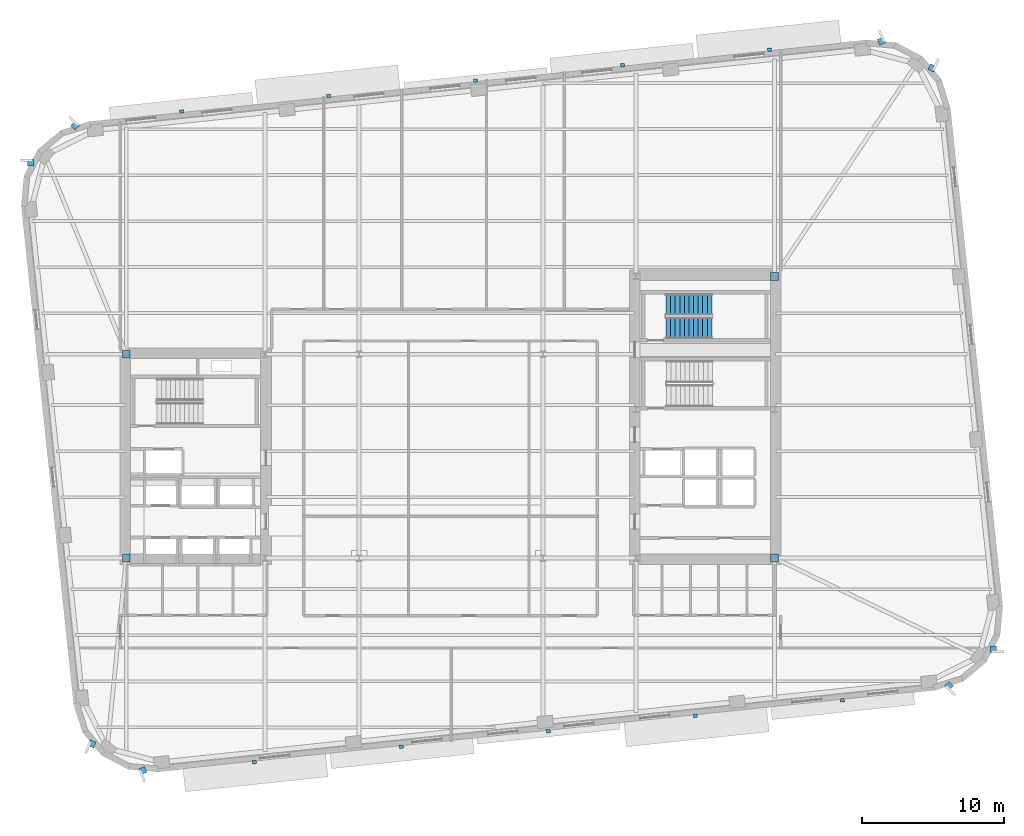
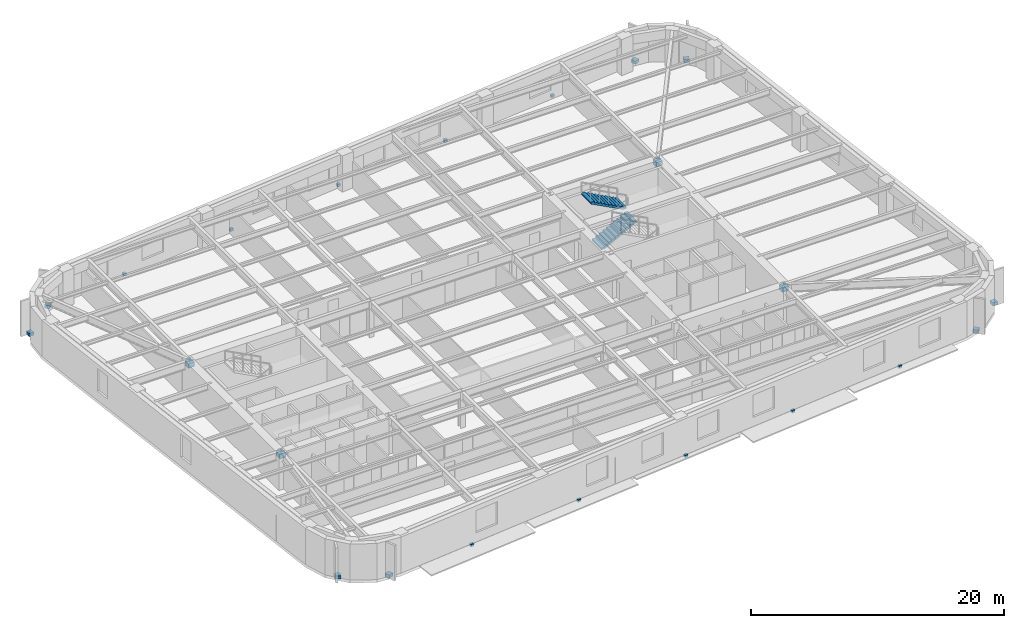
# One storey, part 8 of 15: 22 discrete accessories, 2 stair flights, 1 element without a shape of its own.
"""IFC4 building model written with IfcOpenShell, lengths in metres."""

from ifc_helpers import new_model, si_unit, direction, frame, origin, origin_2d, place, context, subcontext, project, spatial, polyline, rectangle, outline, extrude, material, type_object, element, aggregate, save


model = new_model("IFC4")

# Units and contexts
model_context = context("Model", 3, precision=1e-05, world=origin(), true_north=direction((0.0, 1.0)))
body_context = subcontext(model_context, "Body", "Model", "MODEL_VIEW")
ifc_project = project(units=[si_unit("LENGTHUNIT", "METRE"), si_unit("AREAUNIT", "SQUARE_METRE"), si_unit("VOLUMEUNIT", "CUBIC_METRE"), si_unit("PLANEANGLEUNIT", "RADIAN"), si_unit("MASSUNIT", "GRAM", prefix="KILO")], contexts=[model_context])

# Site, building, storey
site_placement = place(None, origin())
site = spatial("IfcSite", under=ifc_project, at=site_placement, CompositionType="ELEMENT")
building_placement = place(site_placement, origin())
building = spatial("IfcBuilding", under=site, at=building_placement, Name="Kolvaren Arena Tower", CompositionType="ELEMENT")
storey_placement = place(building_placement, frame((0.0, 0.0, 142.0)))
storey = spatial("IfcBuildingStorey", under=building, at=storey_placement, Name="L33", CompositionType="ELEMENT", Elevation=142.0)

# Stair, stair flights
ifc_material_1 = material(Name="Concrete 45 MPa", Category="concrete")
stair_type = type_object("IfcStairType", Name="STAIR-CORE-150", PredefinedType="HALF_TURN_STAIR", material=ifc_material_1)
stair_placement = place(storey_placement, origin())
stair = element("IfcStair", 1, at=stair_placement, inside=storey, type_object=stair_type, Name="L33 ST-E2", PredefinedType="HALF_TURN_STAIR")
stair_flight_type = type_object("IfcStairFlightType", Name="FLT-150", PredefinedType="STRAIGHT", material=ifc_material_1)
stair_flight_1_placement = place(storey_placement, frame((52.679931640625, 35.699951171875, 0.0), z_axis=(0.0, 0.0, 1.0), x_axis=(1.0, 0.0, 0.0)))
stair_flight_1 = element("IfcStairFlight", 2, at=stair_flight_1_placement, type_object=stair_flight_type, Name="ST-E2 flight 1", NumberOfRisers=11, NumberOfTreads=10, PredefinedType="STRAIGHT", RiserHeight=0.170454545, TreadLength=0.324, context=body_context, shape_type="SweptSolid", body=[
    extrude(outline(polyline([(0.0, 0.0), (0.0, 0.17041015625), (0.323974609375, 0.17041015625), (0.323974609375, 0.3408203125), (0.64794921875, 0.3408203125), (0.64794921875, 0.511474609375), (0.971923828125, 0.511474609375), (0.971923828125, 0.681884765625), (1.2958984375, 0.681884765625), (1.2958984375, 0.852294921875), (1.6201171875, 0.852294921875), (1.6201171875, 1.022705078125), (1.944091796875, 1.022705078125), (1.944091796875, 1.193115234375), (2.26806640625, 1.193115234375), (2.26806640625, 1.363525390625), (2.592041015625, 1.363525390625), (2.592041015625, 1.5341796875), (2.916015625, 1.5341796875), (2.916015625, 1.70458984375), (3.239990234375, 1.70458984375), (3.239990234375, 1.875), (3.239990234375, 1.53515625), (0.322021484375, 0.0), (0.0, 0.0)])), frame((0.0, 0.75, 0.0), z_axis=(0.0, -1.0, 0.0), x_axis=(1.0, 0.0, 0.0)), (0.0, 0.0, 1.0), 1.5),
])
stair_flight_2_placement = place(storey_placement, frame((55.919921875, 37.35009765625, 1.875), z_axis=(0.0, 0.0, 1.0), x_axis=(-1.0, 0.0, 0.0)))
stair_flight_2 = element("IfcStairFlight", 3, at=stair_flight_2_placement, type_object=stair_flight_type, Name="ST-E2 flight 2", NumberOfRisers=11, NumberOfTreads=10, PredefinedType="STRAIGHT", RiserHeight=0.170454545, TreadLength=0.324, context=body_context, shape_type="SweptSolid", body=[
    extrude(outline(polyline([(0.0, 0.0), (0.0, 0.17041015625), (0.323974609375, 0.17041015625), (0.323974609375, 0.3408203125), (0.64794921875, 0.3408203125), (0.64794921875, 0.511474609375), (0.971923828125, 0.511474609375), (0.971923828125, 0.681884765625), (1.2958984375, 0.681884765625), (1.2958984375, 0.852294921875), (1.6201171875, 0.852294921875), (1.6201171875, 1.022705078125), (1.944091796875, 1.022705078125), (1.944091796875, 1.193115234375), (2.26806640625, 1.193115234375), (2.26806640625, 1.363525390625), (2.592041015625, 1.363525390625), (2.592041015625, 1.5341796875), (2.916015625, 1.5341796875), (2.916015625, 1.70458984375), (3.239990234375, 1.70458984375), (3.239990234375, 1.875), (3.239990234375, 1.53515625), (0.322021484375, 0.0), (0.0, 0.0)])), frame((0.0, 0.75, 0.0), z_axis=(0.0, -1.0, 0.0), x_axis=(1.0, 0.0, 0.0)), (0.0, 0.0, 1.0), 1.5),
])
aggregate(stair, [stair_flight_1, stair_flight_2])

# Discrete accessories
ifc_material_2 = material(Name="Stainless steel facade support bracket", Category="steel")
discrete_accessory_type_1 = type_object("IfcDiscreteAccessoryType", Name="ACC-BRKT-1", PredefinedType="BRACKET", material=ifc_material_2)
for number, where, z_axis, x_axis, name in (
    (4, (72.66943359375, 10.423828125, 0.02001953125), (0.0, 0.0, 1.0), (0.710184146885, -0.704015963962, 0.0), "Corner Fin Anchor Bracket (L33)"),
    (5, (75.7861328125, 13.01611328125, 0.02001953125), (0.0, 0.0, 1.0), (0.999990541547, 0.004349346783, 0.0), "Corner Fin Anchor Bracket (L33)"),
    (6, (71.470703125, 54.07470703125, 0.02001953125), (0.0, 0.0, 1.0), (0.378634078949, 0.925546451702, 0.0), "Corner Fin Anchor Bracket (L33)"),
    (7, (67.88330078125, 55.9619140625, 0.02001953125), (0.0, 0.0, 1.0), (-0.386706132999, 0.922202996472, 0.0), "Corner Fin Anchor Bracket (L33)"),
):
    element("IfcDiscreteAccessory", number, at=place(storey_placement, frame(where, z_axis=z_axis, x_axis=x_axis)), inside=storey, type_object=discrete_accessory_type_1, Name=name, PredefinedType="BRACKET", context=body_context, shape_type="SweptSolid", body=[
        extrude(rectangle(XDim=0.449951171875, YDim=0.449951171875, at=origin_2d()), origin(), (0.0, 0.0, 1.0), 0.300048828125),
    ])
for number, where, z_axis, x_axis, name in (
    (8, (18.468505859375, 50.9951171875, -0.18017578125), (0.0, 0.0, 1.0), (0.994522077803, 0.104526727499, 0.0), "Sunshade Support Bracket (L33)"),
    (9, (28.851318359375, 52.08642578125, -0.18017578125), (0.0, 0.0, 1.0), (0.994522077803, 0.104526727499, 0.0), "Sunshade Support Bracket (L33)"),
    (10, (39.234130859375, 53.177734375, -0.18017578125), (0.0, 0.0, 1.0), (0.994522077803, 0.104526727499, 0.0), "Sunshade Support Bracket (L33)"),
    (11, (49.616943359375, 54.268798828125, -0.18017578125), (0.0, 0.0, 1.0), (0.994522077803, 0.104526727499, 0.0), "Sunshade Support Bracket (L33)"),
    (12, (59.999755859375, 55.360107421875, -0.18017578125), (0.0, 0.0, 1.0), (0.994522077803, 0.104526727499, 0.0), "Sunshade Support Bracket (L33)"),
):
    element("IfcDiscreteAccessory", number, at=place(storey_placement, frame(where, z_axis=z_axis, x_axis=x_axis)), inside=storey, type_object=discrete_accessory_type_1, Name=name, PredefinedType="BRACKET", context=body_context, shape_type="SweptSolid", body=[
        extrude(rectangle(XDim=0.280029296875, YDim=0.239990234375, at=origin_2d()), origin(), (0.0, 0.0, 1.0), 0.239990234375),
    ])
for number, where, z_axis, x_axis, name in (
    (13, (10.930419921875, 49.97607421875, 0.02001953125), (0.0, 0.0, 1.0), (-0.710184146885, 0.704015963962, 0.0), "Corner Fin Anchor Bracket (L33)"),
    (14, (7.81396484375, 47.384033203125, 0.02001953125), (0.0, 0.0, 1.0), (-0.999990541547, -0.004349346783, 0.0), "Corner Fin Anchor Bracket (L33)"),
    (15, (12.12939453125, 6.325439453125, 0.02001953125), (0.0, 0.0, 1.0), (-0.378634078949, -0.925546451702, 0.0), "Corner Fin Anchor Bracket (L33)"),
    (16, (15.716796875, 4.43798828125, 0.02001953125), (0.0, 0.0, 1.0), (0.386706132999, -0.922202996472, 0.0), "Corner Fin Anchor Bracket (L33)"),
):
    element("IfcDiscreteAccessory", number, at=place(storey_placement, frame(where, z_axis=z_axis, x_axis=x_axis)), inside=storey, type_object=discrete_accessory_type_1, Name=name, PredefinedType="BRACKET", context=body_context, shape_type="SweptSolid", body=[
        extrude(rectangle(XDim=0.449951171875, YDim=0.449951171875, at=origin_2d()), origin(), (0.0, 0.0, 1.0), 0.300048828125),
    ])
for number, where, z_axis, x_axis, name in (
    (17, (65.131591796875, 9.40478515625, -0.18017578125), (0.0, 0.0, 1.0), (-0.994522077803, -0.104526727499, 0.0), "Sunshade Support Bracket (L33)"),
    (18, (54.748779296875, 8.313720703125, -0.18017578125), (0.0, 0.0, 1.0), (-0.994522077803, -0.104526727499, 0.0), "Sunshade Support Bracket (L33)"),
    (19, (44.365966796875, 7.222412109375, -0.18017578125), (0.0, 0.0, 1.0), (-0.994522077803, -0.104526727499, 0.0), "Sunshade Support Bracket (L33)"),
    (20, (33.983154296875, 6.131103515625, -0.18017578125), (0.0, 0.0, 1.0), (-0.994522077803, -0.104526727499, 0.0), "Sunshade Support Bracket (L33)"),
    (21, (23.600341796875, 5.039794921875, -0.18017578125), (0.0, 0.0, 1.0), (-0.994522077803, -0.104526727499, 0.0), "Sunshade Support Bracket (L33)"),
):
    element("IfcDiscreteAccessory", number, at=place(storey_placement, frame(where, z_axis=z_axis, x_axis=x_axis)), inside=storey, type_object=discrete_accessory_type_1, Name=name, PredefinedType="BRACKET", context=body_context, shape_type="SweptSolid", body=[
        extrude(rectangle(XDim=0.280029296875, YDim=0.239990234375, at=origin_2d()), origin(), (0.0, 0.0, 1.0), 0.239990234375),
    ])
ifc_material_3 = material(Name="Steel CSA G40.21 350W bolted gusset connection", Category="steel")
discrete_accessory_type_2 = type_object("IfcDiscreteAccessoryType", Name="ACC-CONN-1", PredefinedType="BRACKET", material=ifc_material_3)
for number, where, z_axis, x_axis, name in (
    (22, (60.35009765625, 19.449951171875, 2.87353515625), (0.0, 0.0, 1.0), (1.0, 0.0, 0.0), "Core Wall Cast-In Embed Plate EP1 (L33)"),
    (23, (60.35009765625, 39.35009765625, 2.87353515625), (0.0, 0.0, 1.0), (1.0, 0.0, 0.0), "Core Wall Cast-In Embed Plate EP1 (L33)"),
    (24, (14.550048828125, 33.85009765625, 2.87353515625), (0.0, 0.0, 1.0), (1.0, 0.0, 0.0), "Core Wall Cast-In Embed Plate EP1 (L33)"),
    (25, (14.550048828125, 19.449951171875, 2.87353515625), (0.0, 0.0, 1.0), (1.0, 0.0, 0.0), "Core Wall Cast-In Embed Plate EP1 (L33)"),
):
    element("IfcDiscreteAccessory", number, at=place(storey_placement, frame(where, z_axis=z_axis, x_axis=x_axis)), inside=storey, type_object=discrete_accessory_type_2, Name=name, PredefinedType="BRACKET", context=body_context, shape_type="SweptSolid", body=[
        extrude(rectangle(XDim=0.56005859375, YDim=0.56005859375, at=origin_2d()), origin(), (0.0, 0.0, 1.0), 0.43994140625),
    ])

save(model, "model.ifc")
